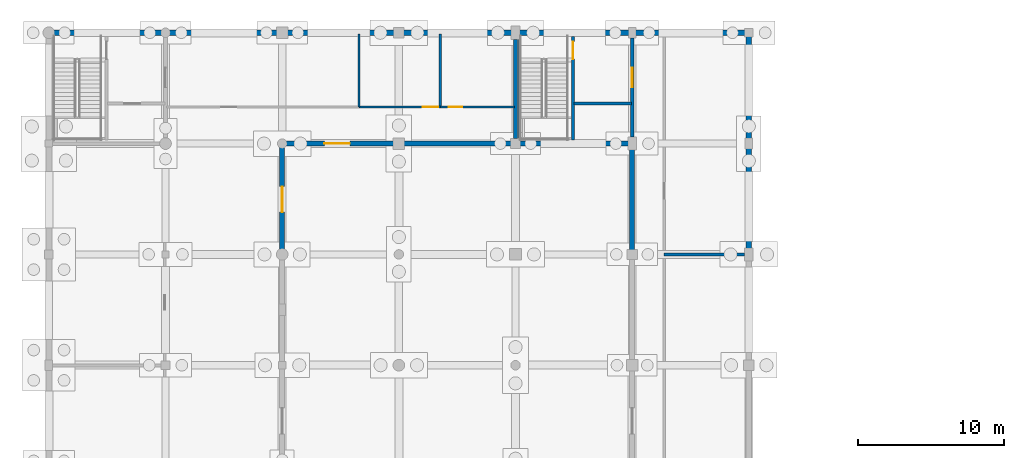
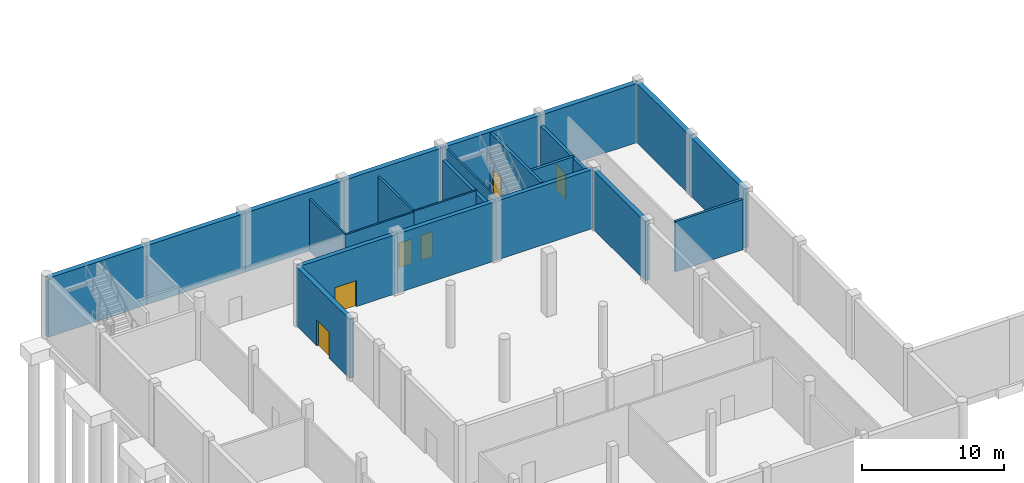
# One storey, part 27 of 44: 23 walls, 6 doors, 6 openings.
"""IFC4 building model written with IfcOpenShell, lengths in metres."""

from ifc_helpers import new_model, si_unit, direction, frame, frame_2d, origin, place, context, subcontext, project, spatial, rectangle, extrude, material, layer, layer_set, type_object, element, fill, save


model = new_model("IFC4")

# Units and contexts
model_context = context("Model", 3, precision=1e-05, world=origin(), true_north=direction((0.0, 1.0)))
body_context = subcontext(model_context, "Body", "Model", "MODEL_VIEW")
ifc_project = project(units=[si_unit("LENGTHUNIT", "METRE"), si_unit("AREAUNIT", "SQUARE_METRE"), si_unit("VOLUMEUNIT", "CUBIC_METRE"), si_unit("PLANEANGLEUNIT", "RADIAN"), si_unit("MASSUNIT", "GRAM", prefix="KILO")], contexts=[model_context])

# Site, building, storey
site_placement = place(None, origin())
site = spatial("IfcSite", under=ifc_project, at=site_placement, CompositionType="ELEMENT")
building_placement = place(site_placement, origin())
building = spatial("IfcBuilding", under=site, at=building_placement, Name="Khelvaren Railside Concert Hall", CompositionType="ELEMENT")
storey_placement = place(building_placement, frame((0.0, 0.0, -5.39990234375)))
storey = spatial("IfcBuildingStorey", under=building, at=storey_placement, Name="B1", CompositionType="ELEMENT", Elevation=-5.39990234375)

# Walls
ifc_material_1 = material(Name="Concrete C40/50", Category="concrete")
ifc_layer_1 = layer(ifc_material_1, 0.139892578125)
ifc_layer_set_1 = layer_set([ifc_layer_1], Name="Concrete C40/50")
wall_type_1 = type_object("IfcWallType", Name="CW17", PredefinedType="SOLIDWALL", material=ifc_layer_set_1)
wall_1_placement = place(storey_placement, frame((32.27490234375, 106.550048828125, 0.0), z_axis=(0.0, 0.0, 1.0), x_axis=(0.0, 1.0, 0.0)))
element("IfcWall", 1, at=wall_1_placement, inside=storey, type_object=wall_type_1, Name="Core Shaft Structural Liner Wall ST-08-B1", PredefinedType="SOLIDWALL", context=body_context, shape_type="SweptSolid", body=[
    extrude(rectangle(XDim=7.300048828125, YDim=0.139892578125, at=frame_2d((3.64990234375, 0.0))), origin(), (0.0, 0.0, 1.0), 5.079833984375),
])
ifc_layer_2 = layer(ifc_material_1, 0.25)
ifc_layer_set_2 = layer_set([ifc_layer_2], Name="Concrete C40/50")
wall_type_2 = type_object("IfcWallType", Name="CW82", PredefinedType="SOLIDWALL", material=ifc_layer_set_2)
wall_2_placement = place(storey_placement, frame((32.0, 106.75, 0.0), z_axis=(0.0, 0.0, 1.0), x_axis=(0.0, 1.0, 0.0)))
element("IfcWall", 2, at=wall_2_placement, inside=storey, type_object=wall_type_2, Name="Core Enclosure Wall CWALL-ST-08-B1-W", PredefinedType="SOLIDWALL", context=body_context, shape_type="SweptSolid", body=[
    extrude(rectangle(XDim=6.800048828125, YDim=0.25, at=frame_2d((3.39990234375, 0.0))), origin(), (0.0, 0.0, 1.0), 4.204833984375),
])

# Wall, opening, door
wall_3_placement = place(storey_placement, frame((40.0, 106.85009765625, 0.0), z_axis=(0.0, 0.0, 1.0), x_axis=(0.0, 1.0, 0.0)))
wall_3 = element("IfcWall", 3, at=wall_3_placement, inside=storey, type_object=wall_type_2, Name="Core Enclosure Wall CWALL-ST-08-B1-E", PredefinedType="SOLIDWALL", context=body_context, shape_type="SweptSolid", body=[
    extrude(rectangle(XDim=6.77490234375, YDim=0.25, at=frame_2d((3.387451171875, 0.0))), origin(), (0.0, 0.0, 1.0), 4.304931640625),
])
opening_1_placement = place(wall_3_placement, frame((3.39990234375, 0.0, 0.0)))
opening_1 = element("IfcOpeningElement", 4, at=opening_1_placement, cuts=wall_3, Name="Opening FDR34", PredefinedType="OPENING", context=body_context, shape_type="SweptSolid", body=[
    extrude(rectangle(XDim=1.35009765625, YDim=2.199951171875, at=frame_2d((0.675048828125, 1.10009765625))), frame((0.0, 0.135009765625, 0.0), z_axis=(0.0, -1.0, 0.0), x_axis=(1.0, 0.0, 0.0)), (0.0, 0.0, 1.0), 0.27001953125),
])
ifc_material_2 = material(Name="Acoustic fire-rated timber-core steel frame door", Category="steel")
door_type_1 = type_object("IfcDoorType", Name="FDR34", OperationType="NOTDEFINED", PredefinedType="DOOR", material=ifc_material_2)
door_1_placement = place(opening_1_placement, origin())
door_1 = element("IfcDoor", 5, at=door_1_placement, inside=storey, type_object=door_type_1, Name="Interior Door DR-ST-08-B1-LOB", OperationType="SINGLE_SWING_LEFT", OverallHeight=2.199951171875, OverallWidth=1.35009765625, PredefinedType="DOOR", context=body_context, shape_type="SweptSolid", body=[
    extrude(rectangle(XDim=1.35009765625, YDim=2.199951171875, at=frame_2d((0.675048828125, 1.10009765625))), frame((0.0, 0.02490234375, 0.0), z_axis=(0.0, -1.0, 0.0), x_axis=(1.0, 0.0, 0.0)), (0.0, 0.0, 1.0), 0.050048828125),
])
fill(opening_1, door_1)

ifc_layer_3 = layer(ifc_material_1, 0.219970703125)
ifc_layer_set_3 = layer_set([ifc_layer_3], Name="Concrete C40/50")
wall_type_3 = type_object("IfcWallType", Name="CW97", PredefinedType="SOLIDWALL", material=ifc_layer_set_3)
wall_4_placement = place(storey_placement, frame((35.949951171875, 106.64990234375, 0.0), z_axis=(0.0, 0.0, 1.0), x_axis=(0.0, 1.0, 0.0)))
wall_4 = element("IfcWall", 6, at=wall_4_placement, inside=storey, type_object=wall_type_3, Name="Core Enclosure Wall CWALL-ST-08-B1-MID", PredefinedType="SOLIDWALL", context=body_context, shape_type="SweptSolid", body=[
    extrude(rectangle(XDim=7.10009765625, YDim=0.219970703125, at=frame_2d((3.550048828125, 0.0))), origin(), (0.0, 0.0, 1.0), 5.079833984375),
])
opening_2_placement = place(wall_4_placement, frame((5.550048828125, 0.0, 0.0)))
opening_2 = element("IfcOpeningElement", 7, at=opening_2_placement, cuts=wall_4, Name="Opening FDR17", PredefinedType="OPENING", context=body_context, shape_type="SweptSolid", body=[
    extrude(rectangle(XDim=1.199951171875, YDim=2.14990234375, at=frame_2d((0.60009765625, 1.074951171875))), frame((0.0, 0.119873046875, 0.0), z_axis=(0.0, -1.0, 0.0), x_axis=(1.0, 0.0, 0.0)), (0.0, 0.0, 1.0), 0.239990234375),
])
door_type_2 = type_object("IfcDoorType", Name="FDR17", OperationType="NOTDEFINED", PredefinedType="DOOR", material=ifc_material_2)
door_2_placement = place(opening_2_placement, origin())
door_2 = element("IfcDoor", 8, at=door_2_placement, inside=storey, type_object=door_type_2, Name="Interior Door DR-ST-08-B1-ST", OperationType="SINGLE_SWING_RIGHT", OverallHeight=2.14990234375, OverallWidth=1.199951171875, PredefinedType="DOOR", context=body_context, shape_type="SweptSolid", body=[
    extrude(rectangle(XDim=1.199951171875, YDim=2.14990234375, at=frame_2d((0.60009765625, 1.074951171875))), frame((0.0, 0.02490234375, 0.0), z_axis=(0.0, -1.0, 0.0), x_axis=(1.0, 0.0, 0.0)), (0.0, 0.0, 1.0), 0.050048828125),
])
fill(opening_2, door_2)

# Walls
wall_5_placement = place(storey_placement, frame((36.02001953125, 109.14990234375, 0.0), z_axis=(0.0, 0.0, 1.0), x_axis=(1.0, 0.0, 0.0)))
element("IfcWall", 9, at=wall_5_placement, inside=storey, type_object=wall_type_3, Name="Core Enclosure Wall CWALL-ST-08-B1-SHF", PredefinedType="SOLIDWALL", context=body_context, shape_type="SweptSolid", body=[
    extrude(rectangle(XDim=3.929931640625, YDim=0.219970703125, at=frame_2d((1.96484375, 0.0))), origin(), (0.0, 0.0, 1.0), 4.434814453125),
])
ifc_material_3 = material(Name="Acoustic double-stud gypsum partition", Category="gypsum")
ifc_layer_4 = layer(ifc_material_3, 0.139892578125)
ifc_layer_set_4 = layer_set([ifc_layer_4], Name="Acoustic double-stud gypsum partition")
wall_type_4 = type_object("IfcWallType", Name="PT41", PredefinedType="PARTITIONING", material=ifc_layer_set_4)
wall_6_placement = place(storey_placement, frame((21.26806640625, 108.89990234375, 0.0), z_axis=(0.0, 0.0, 1.0), x_axis=(0.0, 1.0, 0.0)))
element("IfcWall", 10, at=wall_6_placement, inside=storey, type_object=wall_type_4, Name="Acoustic Partition Wall PW-V4-B1-NB-D01", PredefinedType="PARTITIONING", context=body_context, shape_type="SweptSolid", body=[
    extrude(rectangle(XDim=5.02001953125, YDim=0.139892578125, at=frame_2d((2.510009765625, 0.0))), origin(), (0.0, 0.0, 1.0), 4.474853515625),
])

# Wall, opening, door
ifc_layer_5 = layer(ifc_material_3, 0.139892578125)
ifc_layer_set_5 = layer_set([ifc_layer_5], Name="Acoustic double-stud gypsum partition")
wall_type_5 = type_object("IfcWallType", Name="PT55", PredefinedType="PARTITIONING", material=ifc_layer_set_5)
wall_7_placement = place(storey_placement, frame((21.26806640625, 108.89990234375, 0.0), z_axis=(0.0, 0.0, 1.0), x_axis=(1.0, 0.0, 0.0)))
wall_7 = element("IfcWall", 11, at=wall_7_placement, inside=storey, type_object=wall_type_5, Name="Acoustic Partition Wall PW-V4-B1-NB-C02", PredefinedType="PARTITIONING", context=body_context, shape_type="SweptSolid", body=[
    extrude(rectangle(XDim=5.579833984375, YDim=0.139892578125, at=frame_2d((2.7900390625, 0.0))), origin(), (0.0, 0.0, 1.0), 4.3798828125),
])
opening_3_placement = place(wall_7_placement, frame((4.360107421875, 0.0, 0.0)))
opening_3 = element("IfcOpeningElement", 12, at=opening_3_placement, cuts=wall_7, Name="Opening IDR70", PredefinedType="OPENING", context=body_context, shape_type="SweptSolid", body=[
    extrude(rectangle(XDim=1.080078125, YDim=2.10009765625, at=frame_2d((0.5400390625, 1.050048828125))), frame((0.0, 0.079833984375, 0.0), z_axis=(0.0, -1.0, 0.0), x_axis=(1.0, 0.0, 0.0)), (0.0, 0.0, 1.0), 0.159912109375),
])
ifc_material_4 = material(Name="Solid oak acoustic studio door", Category="wood")
door_type_3 = type_object("IfcDoorType", Name="IDR70", OperationType="NOTDEFINED", PredefinedType="DOOR", material=ifc_material_4)
door_3_placement = place(opening_3_placement, origin())
door_3 = element("IfcDoor", 13, at=door_3_placement, inside=storey, type_object=door_type_3, Name="Interior Door DR-V4-B1-NB-02", OperationType="SINGLE_SWING_LEFT", OverallHeight=2.10009765625, OverallWidth=1.080078125, PredefinedType="DOOR", context=body_context, shape_type="SweptSolid", body=[
    extrude(rectangle(XDim=1.080078125, YDim=2.10009765625, at=frame_2d((0.5400390625, 1.050048828125))), frame((0.0, 0.02490234375, 0.0), z_axis=(0.0, -1.0, 0.0), x_axis=(1.0, 0.0, 0.0)), (0.0, 0.0, 1.0), 0.050048828125),
])
fill(opening_3, door_3)

wall_8_placement = place(storey_placement, frame((26.847900390625, 108.89990234375, 0.0), z_axis=(0.0, 0.0, 1.0), x_axis=(1.0, 0.0, 0.0)))
wall_8 = element("IfcWall", 14, at=wall_8_placement, inside=storey, type_object=wall_type_5, Name="Acoustic Partition Wall PW-V4-B1-NB-C03", PredefinedType="PARTITIONING", context=body_context, shape_type="SweptSolid", body=[
    extrude(rectangle(XDim=5.072021484375, YDim=0.139892578125, at=frame_2d((2.5361328125, 0.0))), origin(), (0.0, 0.0, 1.0), 4.454833984375),
])
opening_4_placement = place(wall_8_placement, frame((0.583251953125, 0.0, 0.0)))
opening_4 = element("IfcOpeningElement", 15, at=opening_4_placement, cuts=wall_8, Name="Opening IDR15", PredefinedType="OPENING", context=body_context, shape_type="SweptSolid", body=[
    extrude(rectangle(XDim=0.919921875, YDim=2.14990234375, at=frame_2d((0.4599609375, 1.074951171875))), frame((0.0, 0.079833984375, 0.0), z_axis=(0.0, -1.0, 0.0), x_axis=(1.0, 0.0, 0.0)), (0.0, 0.0, 1.0), 0.159912109375),
])
door_type_4 = type_object("IfcDoorType", Name="IDR15", OperationType="NOTDEFINED", PredefinedType="DOOR", material=ifc_material_4)
door_4_placement = place(opening_4_placement, origin())
door_4 = element("IfcDoor", 16, at=door_4_placement, inside=storey, type_object=door_type_4, Name="Interior Door DR-V4-B1-NB-03", OperationType="SINGLE_SWING_RIGHT", OverallHeight=2.14990234375, OverallWidth=0.919921875, PredefinedType="DOOR", context=body_context, shape_type="SweptSolid", body=[
    extrude(rectangle(XDim=0.919921875, YDim=2.14990234375, at=frame_2d((0.4599609375, 1.074951171875))), frame((0.0, 0.02490234375, 0.0), z_axis=(0.0, -1.0, 0.0), x_axis=(1.0, 0.0, 0.0)), (0.0, 0.0, 1.0), 0.050048828125),
])
fill(opening_4, door_4)

# Walls
ifc_layer_6 = layer(ifc_material_3, 0.199951171875)
ifc_layer_set_6 = layer_set([ifc_layer_6], Name="Acoustic double-stud gypsum partition")
wall_type_6 = type_object("IfcWallType", Name="PT75", PredefinedType="PARTITIONING", material=ifc_layer_set_6)
wall_9_placement = place(storey_placement, frame((42.199951171875, 98.780029296875, 0.0), z_axis=(0.0, 0.0, 1.0), x_axis=(1.0, 0.0, 0.0)))
element("IfcWall", 17, at=wall_9_placement, inside=storey, type_object=wall_type_6, Name="Acoustic Partition Wall PW-V4-B1-EB-D01", PredefinedType="PARTITIONING", context=body_context, shape_type="SweptSolid", body=[
    extrude(rectangle(XDim=5.5, YDim=0.199951171875, at=frame_2d((2.75, 0.0))), origin(), (0.0, 0.0, 1.0), 4.329833984375),
])
ifc_layer_7 = layer(ifc_material_3, 0.159912109375)
ifc_layer_set_7 = layer_set([ifc_layer_7], Name="Acoustic double-stud gypsum partition")
wall_type_7 = type_object("IfcWallType", Name="PT97", PredefinedType="PARTITIONING", material=ifc_layer_set_7)
wall_10_placement = place(storey_placement, frame((26.847900390625, 108.89990234375, 0.0), z_axis=(0.0, 0.0, 1.0), x_axis=(0.0, 1.0, 0.0)))
element("IfcWall", 18, at=wall_10_placement, inside=storey, type_object=wall_type_7, Name="Acoustic Partition Wall PW-V4-B1-NB-D02", PredefinedType="PARTITIONING", context=body_context, shape_type="SweptSolid", body=[
    extrude(rectangle(XDim=5.02001953125, YDim=0.159912109375, at=frame_2d((2.510009765625, 0.0))), origin(), (0.0, 0.0, 1.0), 4.449951171875),
])
ifc_layer_8 = layer(ifc_material_1, 0.39990234375)
ifc_layer_set_8 = layer_set([ifc_layer_8], Name="Concrete C40/50")
wall_type_8 = type_object("IfcWallType", Name="RW96", PredefinedType="USERDEFINED", material=ifc_layer_set_8)
for number, where, z_axis, x_axis, name in (
    (19, (8.0, 114.0, 0.0), (0.0, 0.0, 1.0), (-1.0, 0.0, 0.0), "V4 Basement Retaining Wall N01"),
    (20, (16.0, 114.0, 0.0), (0.0, 0.0, 1.0), (-1.0, 0.0, 0.0), "V4 Basement Retaining Wall N02"),
    (21, (24.0, 114.0, 0.0), (0.0, 0.0, 1.0), (-1.0, 0.0, 0.0), "V4 Basement Retaining Wall N03"),
    (22, (32.0, 114.0, 0.0), (0.0, 0.0, 1.0), (-1.0, 0.0, 0.0), "V4 Basement Retaining Wall N04"),
    (23, (40.0, 114.0, 0.0), (0.0, 0.0, 1.0), (-1.0, 0.0, 0.0), "V4 Basement Retaining Wall N05"),
    (24, (48.0, 114.0, 0.0), (0.0, 0.0, 1.0), (-1.0, 0.0, 0.0), "V4 Basement Retaining Wall N06"),
):
    element("IfcWall", number, at=place(storey_placement, frame(where, z_axis=z_axis, x_axis=x_axis)), inside=storey, type_object=wall_type_8, Name=name, ObjectType="RETAINING WALL", PredefinedType="USERDEFINED", context=body_context, shape_type="SweptSolid", body=[
        extrude(rectangle(XDim=8.0, YDim=0.39990234375, at=frame_2d((4.0, 0.0))), origin(), (0.0, 0.0, 1.0), 5.079833984375),
    ])
wall_11_placement = place(storey_placement, frame((48.0, 98.800048828125, 0.0), z_axis=(0.0, 0.0, 1.0), x_axis=(0.0, 1.0, 0.0)))
element("IfcWall", 25, at=wall_11_placement, inside=storey, type_object=wall_type_8, Name="V4 Basement Retaining Wall E05", ObjectType="RETAINING WALL", PredefinedType="USERDEFINED", context=body_context, shape_type="SweptSolid", body=[
    extrude(rectangle(XDim=7.599853515625, YDim=0.39990234375, at=frame_2d((3.7998046875, 0.0))), origin(), (0.0, 0.0, 1.0), 5.079833984375),
])
wall_12_placement = place(storey_placement, frame((48.0, 106.39990234375, 0.0), z_axis=(0.0, 0.0, 1.0), x_axis=(0.0, 1.0, 0.0)))
element("IfcWall", 26, at=wall_12_placement, inside=storey, type_object=wall_type_8, Name="V4 Basement Retaining Wall E06", ObjectType="RETAINING WALL", PredefinedType="USERDEFINED", context=body_context, shape_type="SweptSolid", body=[
    extrude(rectangle(XDim=7.60009765625, YDim=0.39990234375, at=frame_2d((3.800048828125, 0.0))), origin(), (0.0, 0.0, 1.0), 5.079833984375),
])

# Wall, opening, door
ifc_layer_9 = layer(ifc_material_1, 0.35009765625)
ifc_layer_set_9 = layer_set([ifc_layer_9], Name="Concrete C40/50")
wall_type_9 = type_object("IfcWallType", Name="SW91", PredefinedType="SHEAR", material=ifc_layer_set_9)
wall_13_placement = place(storey_placement, frame((16.0, 106.39990234375, 0.0), z_axis=(0.0, 0.0, 1.0), x_axis=(1.0, 0.0, 0.0)))
wall_13 = element("IfcWall", 27, at=wall_13_placement, inside=storey, type_object=wall_type_9, Name="V4 Chamber Box Shear Wall B1 N1", PredefinedType="SHEAR", context=body_context, shape_type="SweptSolid", body=[
    extrude(rectangle(XDim=8.0, YDim=0.35009765625, at=frame_2d((4.0, 0.0))), origin(), (0.0, 0.0, 1.0), 5.079833984375),
])
opening_5_placement = place(wall_13_placement, frame((2.89990234375, 0.0, 0.0)))
opening_5 = element("IfcOpeningElement", 28, at=opening_5_placement, cuts=wall_13, Name="Opening ADR83", PredefinedType="OPENING", context=body_context, shape_type="SweptSolid", body=[
    extrude(rectangle(XDim=1.75, YDim=2.25, at=frame_2d((0.875, 1.125))), frame((0.0, 0.18505859375, 0.0), z_axis=(0.0, -1.0, 0.0), x_axis=(1.0, 0.0, 0.0)), (0.0, 0.0, 1.0), 0.3701171875),
])
ifc_material_5 = material(Name="Heavy acoustic double sound-lock fire door", Category="wood")
door_type_5 = type_object("IfcDoorType", Name="ADR83", OperationType="DOUBLE_DOOR_SINGLE_SWING", PredefinedType="DOOR", material=ifc_material_5)
door_5_placement = place(opening_5_placement, origin())
door_5 = element("IfcDoor", 29, at=door_5_placement, inside=storey, type_object=door_type_5, Name="Chamber Music Hall Acoustic Sound-Lock Door B1-N1", OperationType="DOUBLE_DOOR_SINGLE_SWING", OverallHeight=2.25, OverallWidth=1.75, PredefinedType="DOOR", context=body_context, shape_type="SweptSolid", body=[
    extrude(rectangle(XDim=1.75, YDim=2.25, at=frame_2d((0.875, 1.125))), frame((0.0, 0.02490234375, 0.0), z_axis=(0.0, -1.0, 0.0), x_axis=(1.0, 0.0, 0.0)), (0.0, 0.0, 1.0), 0.050048828125),
])
fill(opening_5, door_5)

# Walls
for number, where, z_axis, x_axis, name in (
    (30, (24.0, 106.39990234375, 0.0), (0.0, 0.0, 1.0), (1.0, 0.0, 0.0), "V4 Chamber Box Shear Wall B1 N2"),
    (31, (32.0, 106.39990234375, 0.0), (0.0, 0.0, 1.0), (1.0, 0.0, 0.0), "V4 Chamber Box Shear Wall B1 N3"),
):
    element("IfcWall", number, at=place(storey_placement, frame(where, z_axis=z_axis, x_axis=x_axis)), inside=storey, type_object=wall_type_9, Name=name, PredefinedType="SHEAR", context=body_context, shape_type="SweptSolid", body=[
        extrude(rectangle(XDim=8.0, YDim=0.35009765625, at=frame_2d((4.0, 0.0))), origin(), (0.0, 0.0, 1.0), 5.079833984375),
    ])

# Wall, opening, door
wall_14_placement = place(storey_placement, frame((16.0, 98.800048828125, 0.0), z_axis=(0.0, 0.0, 1.0), x_axis=(0.0, 1.0, 0.0)))
wall_14 = element("IfcWall", 32, at=wall_14_placement, inside=storey, type_object=wall_type_9, Name="V4 Chamber Box Shear Wall B1 W3", PredefinedType="SHEAR", context=body_context, shape_type="SweptSolid", body=[
    extrude(rectangle(XDim=7.599853515625, YDim=0.35009765625, at=frame_2d((3.7998046875, 0.0))), origin(), (0.0, 0.0, 1.0), 5.079833984375),
])
opening_6_placement = place(wall_14_placement, frame((2.89990234375, 0.0, 0.0)))
opening_6 = element("IfcOpeningElement", 33, at=opening_6_placement, cuts=wall_14, Name="Opening ADR83", PredefinedType="OPENING", context=body_context, shape_type="SweptSolid", body=[
    extrude(rectangle(XDim=1.75, YDim=2.25, at=frame_2d((0.875, 1.125))), frame((0.0, 0.18505859375, 0.0), z_axis=(0.0, -1.0, 0.0), x_axis=(1.0, 0.0, 0.0)), (0.0, 0.0, 1.0), 0.3701171875),
])
door_6_placement = place(opening_6_placement, origin())
door_6 = element("IfcDoor", 34, at=door_6_placement, inside=storey, type_object=door_type_5, Name="Chamber Music Hall Acoustic Sound-Lock Door B1-W3", OperationType="DOUBLE_DOOR_SINGLE_SWING", OverallHeight=2.25, OverallWidth=1.75, PredefinedType="DOOR", context=body_context, shape_type="SweptSolid", body=[
    extrude(rectangle(XDim=1.75, YDim=2.25, at=frame_2d((0.875, 1.125))), frame((0.0, 0.02490234375, 0.0), z_axis=(0.0, -1.0, 0.0), x_axis=(1.0, 0.0, 0.0)), (0.0, 0.0, 1.0), 0.050048828125),
])
fill(opening_6, door_6)

# Wall
wall_15_placement = place(storey_placement, frame((40.0, 98.800048828125, 0.0), z_axis=(0.0, 0.0, 1.0), x_axis=(0.0, 1.0, 0.0)))
element("IfcWall", 35, at=wall_15_placement, inside=storey, type_object=wall_type_9, Name="V4 Chamber Box Shear Wall B1 E3", PredefinedType="SHEAR", context=body_context, shape_type="SweptSolid", body=[
    extrude(rectangle(XDim=7.599853515625, YDim=0.35009765625, at=frame_2d((3.7998046875, 0.0))), origin(), (0.0, 0.0, 1.0), 5.079833984375),
])

save(model, "model.ifc")
